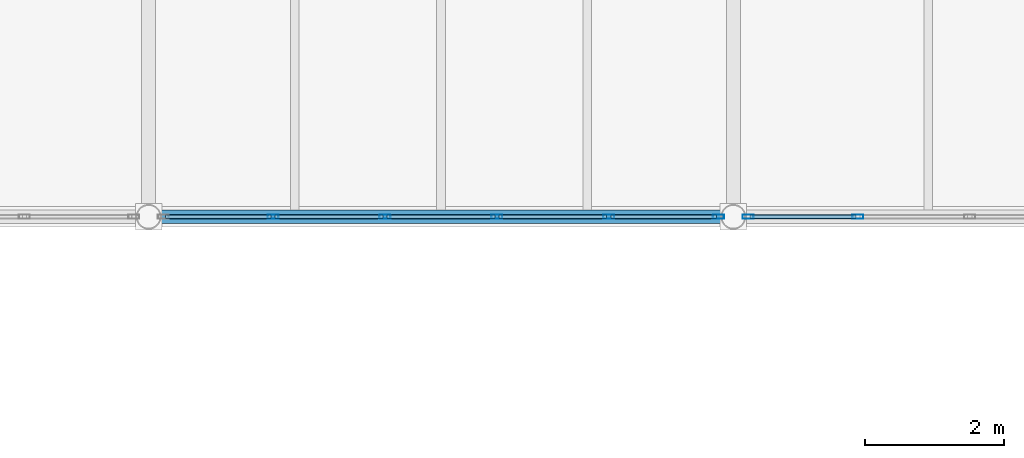
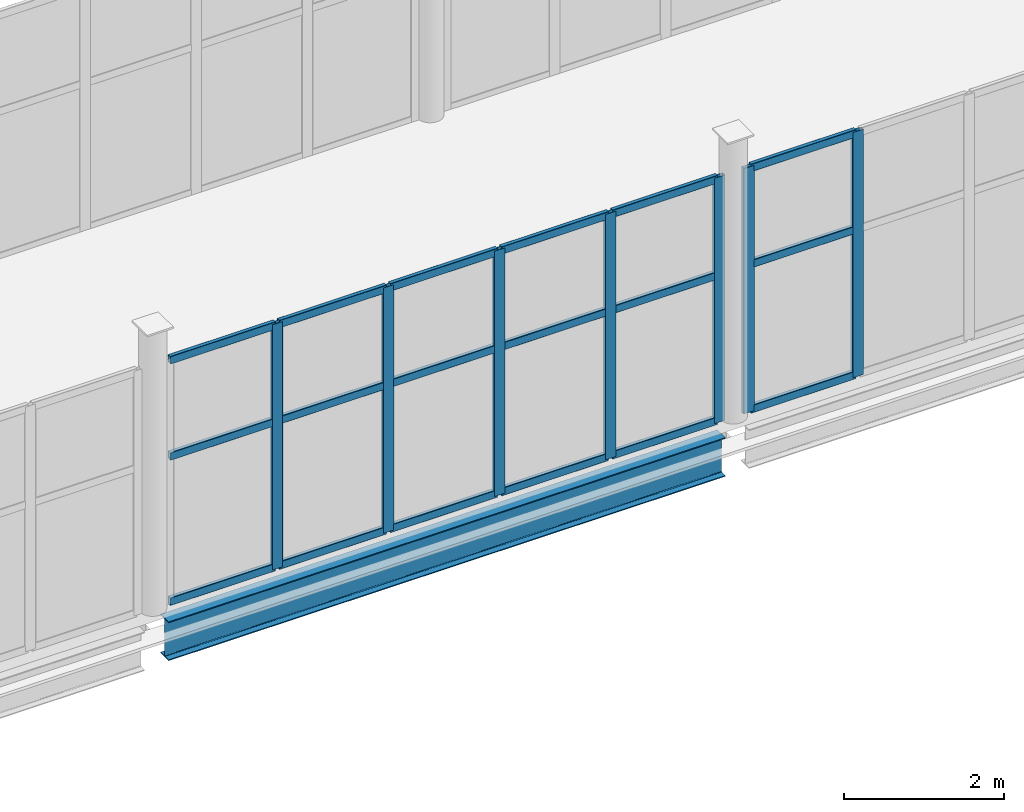
# One storey, part 43 of 172: 25 members, 1 beam, 2 elements without a shape of their own.
"""IFC4 building model written with IfcOpenShell, lengths in metres."""

from ifc_helpers import new_model, si_unit, direction, frame, origin, origin_2d, place, context, subcontext, project, spatial, hollow_rectangle, i_section, extrude, material, material_profile, profile_set, type_object, element, aggregate, save


model = new_model("IFC4")

# Units and contexts
model_context = context("Model", 3, precision=1e-05, world=origin(), true_north=direction((0.0, 1.0)))
body_context = subcontext(model_context, "Body", "Model", "MODEL_VIEW")
ifc_project = project(units=[si_unit("LENGTHUNIT", "METRE"), si_unit("AREAUNIT", "SQUARE_METRE"), si_unit("VOLUMEUNIT", "CUBIC_METRE"), si_unit("PLANEANGLEUNIT", "RADIAN"), si_unit("MASSUNIT", "GRAM", prefix="KILO")], contexts=[model_context])

# Site, building, storey
site_placement = place(None, origin())
site = spatial("IfcSite", under=ifc_project, at=site_placement, CompositionType="ELEMENT")
building_placement = place(site_placement, origin())
building = spatial("IfcBuilding", under=site, at=building_placement, Name="Shengluoqiao Park Theatre", CompositionType="ELEMENT")
storey_placement = place(building_placement, frame((0.0, 0.0, 5.39990234375)))
storey = spatial("IfcBuildingStorey", under=building, at=storey_placement, Name="L01", CompositionType="ELEMENT", Elevation=5.39990234375)

# Curtain wall, members
ifc_material_1 = material(Name="Aluminium 6063-T6", Category="aluminium")
curtain_wall_type = type_object("IfcCurtainWallType", Name="ENV-CW-BRIDGE", PredefinedType="NOTDEFINED", material=ifc_material_1)
curtain_wall_1_placement = place(storey_placement, origin())
curtain_wall_1 = element("IfcCurtainWall", 1, at=curtain_wall_1_placement, inside=storey, type_object=curtain_wall_type, Name="L01 Curtain Wall CWX-L01-0124", PredefinedType="NOTDEFINED")
ifc_material_profile_1 = material_profile(ifc_material_1, hollow_rectangle(XDim=0.06005859375, YDim=0.159912109375, WallThickness=0.00390625, InnerFilletRadius=0.00390625, OuterFilletRadius=0.008056640625, at=origin_2d()), Name="ALU MULLION 160x60x4")
ifc_profile_set_1 = profile_set([ifc_material_profile_1], Name="Aluminium 6063-T6")
member_type_1 = type_object("IfcMemberType", Name="ENV-MUL-160", PredefinedType="MULLION", material=ifc_profile_set_1)
member_1_placement = place(storey_placement, frame((54.589111328125, 53.199951171875, 0.0), z_axis=(0.0, 0.0, 1.0), x_axis=(0.0, 1.0, 0.0)))
member_1 = element("IfcMember", 2, at=member_1_placement, type_object=member_type_1, Name="CW-03 mullion 2", PredefinedType="MULLION", context=body_context, shape_type="SweptSolid", body=[
    extrude(hollow_rectangle(XDim=0.06005859375, YDim=0.159912109375, WallThickness=0.00390625, InnerFilletRadius=0.00390625, OuterFilletRadius=0.008056640625, at=origin_2d()), origin(), (0.0, 0.0, 1.0), 3.752197265625),
])
member_2_placement = place(storey_placement, frame((56.1962890625, 53.199951171875, 0.0), z_axis=(0.0, 0.0, 1.0), x_axis=(0.0, 1.0, 0.0)))
member_2 = element("IfcMember", 3, at=member_2_placement, type_object=member_type_1, Name="CW-03 mullion 3", PredefinedType="MULLION", context=body_context, shape_type="SweptSolid", body=[
    extrude(hollow_rectangle(XDim=0.06005859375, YDim=0.159912109375, WallThickness=0.00390625, InnerFilletRadius=0.00390625, OuterFilletRadius=0.008056640625, at=origin_2d()), origin(), (0.0, 0.0, 1.0), 3.752197265625),
])
member_3_placement = place(storey_placement, frame((57.8037109375, 53.199951171875, 0.0), z_axis=(0.0, 0.0, 1.0), x_axis=(0.0, 1.0, 0.0)))
member_3 = element("IfcMember", 4, at=member_3_placement, type_object=member_type_1, Name="CW-03 mullion 4", PredefinedType="MULLION", context=body_context, shape_type="SweptSolid", body=[
    extrude(hollow_rectangle(XDim=0.06005859375, YDim=0.159912109375, WallThickness=0.00390625, InnerFilletRadius=0.00390625, OuterFilletRadius=0.008056640625, at=origin_2d()), origin(), (0.0, 0.0, 1.0), 3.752197265625),
])
member_4_placement = place(storey_placement, frame((59.410888671875, 53.199951171875, 0.0), z_axis=(0.0, 0.0, 1.0), x_axis=(0.0, 1.0, 0.0)))
member_4 = element("IfcMember", 5, at=member_4_placement, type_object=member_type_1, Name="CW-03 mullion 5", PredefinedType="MULLION", context=body_context, shape_type="SweptSolid", body=[
    extrude(hollow_rectangle(XDim=0.06005859375, YDim=0.159912109375, WallThickness=0.00390625, InnerFilletRadius=0.00390625, OuterFilletRadius=0.008056640625, at=origin_2d()), origin(), (0.0, 0.0, 1.0), 3.752197265625),
])
member_5_placement = place(storey_placement, frame((60.988037109375, 53.199951171875, 0.0), z_axis=(0.0, 0.0, 1.0), x_axis=(0.0, 1.0, 0.0)))
member_5 = element("IfcMember", 6, at=member_5_placement, type_object=member_type_1, Name="CW-03 mullion 6", PredefinedType="MULLION", context=body_context, shape_type="SweptSolid", body=[
    extrude(hollow_rectangle(XDim=0.06005859375, YDim=0.159912109375, WallThickness=0.00390625, InnerFilletRadius=0.00390625, OuterFilletRadius=0.008056640625, at=origin_2d()), origin(), (0.0, 0.0, 1.0), 3.752197265625),
])

curtain_wall_2_placement = place(storey_placement, origin())
curtain_wall_2 = element("IfcCurtainWall", 7, at=curtain_wall_2_placement, inside=storey, type_object=curtain_wall_type, Name="L01 Curtain Wall CWX-L01-0125", PredefinedType="NOTDEFINED")
member_6_placement = place(storey_placement, frame((61.412109375, 53.199951171875, 0.0), z_axis=(0.0, 0.0, 1.0), x_axis=(0.0, 1.0, 0.0)))
member_6 = element("IfcMember", 8, at=member_6_placement, type_object=member_type_1, Name="CW-03 mullion 1", PredefinedType="MULLION", context=body_context, shape_type="SweptSolid", body=[
    extrude(hollow_rectangle(XDim=0.06005859375, YDim=0.159912109375, WallThickness=0.00390625, InnerFilletRadius=0.00390625, OuterFilletRadius=0.008056640625, at=origin_2d()), origin(), (0.0, 0.0, 1.0), 3.752197265625),
])
member_7_placement = place(storey_placement, frame((62.9892578125, 53.199951171875, 0.0), z_axis=(0.0, 0.0, 1.0), x_axis=(0.0, 1.0, 0.0)))
member_7 = element("IfcMember", 9, at=member_7_placement, type_object=member_type_1, Name="CW-03 mullion 2", PredefinedType="MULLION", context=body_context, shape_type="SweptSolid", body=[
    extrude(hollow_rectangle(XDim=0.06005859375, YDim=0.159912109375, WallThickness=0.00390625, InnerFilletRadius=0.00390625, OuterFilletRadius=0.008056640625, at=origin_2d()), origin(), (0.0, 0.0, 1.0), 3.752197265625),
])

# Member
ifc_material_profile_2 = material_profile(ifc_material_1, hollow_rectangle(XDim=0.06005859375, YDim=0.1201171875, WallThickness=0.00390625, InnerFilletRadius=0.00390625, OuterFilletRadius=0.008056640625, at=origin_2d()), Name="ALU TRANSOM 120x60x4")
ifc_profile_set_2 = profile_set([ifc_material_profile_2], Name="Aluminium 6063-T6")
member_type_2 = type_object("IfcMemberType", Name="ENV-TRN-120", PredefinedType="USERDEFINED", material=ifc_profile_set_2)
member_8_placement = place(storey_placement, frame((53.0419921875, 53.199951171875, 0.030029296875), z_axis=(1.0, 0.0, 0.0), x_axis=(0.0, 1.0, 0.0)))
member_8 = element("IfcMember", 10, at=member_8_placement, type_object=member_type_2, Name="CW-03 transom 1.1", ObjectType="TRANSOM", PredefinedType="USERDEFINED", context=body_context, shape_type="SweptSolid", body=[
    extrude(hollow_rectangle(XDim=0.06005859375, YDim=0.1201171875, WallThickness=0.00390625, InnerFilletRadius=0.00390625, OuterFilletRadius=0.008056640625, at=origin_2d()), origin(), (0.0, 0.0, 1.0), 1.51708984375),
])

member_9_placement = place(storey_placement, frame((53.0419921875, 53.199951171875, 2.2509765625), z_axis=(1.0, 0.0, 0.0), x_axis=(0.0, 1.0, 0.0)))
member_9 = element("IfcMember", 11, at=member_9_placement, type_object=member_type_2, Name="CW-03 transom 1.2", ObjectType="TRANSOM", PredefinedType="USERDEFINED", context=body_context, shape_type="SweptSolid", body=[
    extrude(hollow_rectangle(XDim=0.06005859375, YDim=0.1201171875, WallThickness=0.00390625, InnerFilletRadius=0.00390625, OuterFilletRadius=0.008056640625, at=origin_2d()), origin(), (0.0, 0.0, 1.0), 1.51708984375),
])

member_10_placement = place(storey_placement, frame((53.0419921875, 53.199951171875, 3.72216796875), z_axis=(1.0, 0.0, 0.0), x_axis=(0.0, 1.0, 0.0)))
member_10 = element("IfcMember", 12, at=member_10_placement, type_object=member_type_2, Name="CW-03 transom 1.3", ObjectType="TRANSOM", PredefinedType="USERDEFINED", context=body_context, shape_type="SweptSolid", body=[
    extrude(hollow_rectangle(XDim=0.06005859375, YDim=0.1201171875, WallThickness=0.00390625, InnerFilletRadius=0.00390625, OuterFilletRadius=0.008056640625, at=origin_2d()), origin(), (0.0, 0.0, 1.0), 1.51708984375),
])

member_11_placement = place(storey_placement, frame((54.619140625, 53.199951171875, 0.030029296875), z_axis=(1.0, 0.0, 0.0), x_axis=(0.0, 1.0, 0.0)))
member_11 = element("IfcMember", 13, at=member_11_placement, type_object=member_type_2, Name="CW-03 transom 2.1", ObjectType="TRANSOM", PredefinedType="USERDEFINED", context=body_context, shape_type="SweptSolid", body=[
    extrude(hollow_rectangle(XDim=0.06005859375, YDim=0.1201171875, WallThickness=0.00390625, InnerFilletRadius=0.00390625, OuterFilletRadius=0.008056640625, at=origin_2d()), origin(), (0.0, 0.0, 1.0), 1.54736328125),
])

member_12_placement = place(storey_placement, frame((54.619140625, 53.199951171875, 2.2509765625), z_axis=(1.0, 0.0, 0.0), x_axis=(0.0, 1.0, 0.0)))
member_12 = element("IfcMember", 14, at=member_12_placement, type_object=member_type_2, Name="CW-03 transom 2.2", ObjectType="TRANSOM", PredefinedType="USERDEFINED", context=body_context, shape_type="SweptSolid", body=[
    extrude(hollow_rectangle(XDim=0.06005859375, YDim=0.1201171875, WallThickness=0.00390625, InnerFilletRadius=0.00390625, OuterFilletRadius=0.008056640625, at=origin_2d()), origin(), (0.0, 0.0, 1.0), 1.54736328125),
])

member_13_placement = place(storey_placement, frame((54.619140625, 53.199951171875, 3.72216796875), z_axis=(1.0, 0.0, 0.0), x_axis=(0.0, 1.0, 0.0)))
member_13 = element("IfcMember", 15, at=member_13_placement, type_object=member_type_2, Name="CW-03 transom 2.3", ObjectType="TRANSOM", PredefinedType="USERDEFINED", context=body_context, shape_type="SweptSolid", body=[
    extrude(hollow_rectangle(XDim=0.06005859375, YDim=0.1201171875, WallThickness=0.00390625, InnerFilletRadius=0.00390625, OuterFilletRadius=0.008056640625, at=origin_2d()), origin(), (0.0, 0.0, 1.0), 1.54736328125),
])

member_14_placement = place(storey_placement, frame((56.226318359375, 53.199951171875, 0.030029296875), z_axis=(1.0, 0.0, 0.0), x_axis=(0.0, 1.0, 0.0)))
member_14 = element("IfcMember", 16, at=member_14_placement, type_object=member_type_2, Name="CW-03 transom 3.1", ObjectType="TRANSOM", PredefinedType="USERDEFINED", context=body_context, shape_type="SweptSolid", body=[
    extrude(hollow_rectangle(XDim=0.06005859375, YDim=0.1201171875, WallThickness=0.00390625, InnerFilletRadius=0.00390625, OuterFilletRadius=0.008056640625, at=origin_2d()), origin(), (0.0, 0.0, 1.0), 1.54736328125),
])

member_15_placement = place(storey_placement, frame((56.226318359375, 53.199951171875, 2.2509765625), z_axis=(1.0, 0.0, 0.0), x_axis=(0.0, 1.0, 0.0)))
member_15 = element("IfcMember", 17, at=member_15_placement, type_object=member_type_2, Name="CW-03 transom 3.2", ObjectType="TRANSOM", PredefinedType="USERDEFINED", context=body_context, shape_type="SweptSolid", body=[
    extrude(hollow_rectangle(XDim=0.06005859375, YDim=0.1201171875, WallThickness=0.00390625, InnerFilletRadius=0.00390625, OuterFilletRadius=0.008056640625, at=origin_2d()), origin(), (0.0, 0.0, 1.0), 1.54736328125),
])

member_16_placement = place(storey_placement, frame((56.226318359375, 53.199951171875, 3.72216796875), z_axis=(1.0, 0.0, 0.0), x_axis=(0.0, 1.0, 0.0)))
member_16 = element("IfcMember", 18, at=member_16_placement, type_object=member_type_2, Name="CW-03 transom 3.3", ObjectType="TRANSOM", PredefinedType="USERDEFINED", context=body_context, shape_type="SweptSolid", body=[
    extrude(hollow_rectangle(XDim=0.06005859375, YDim=0.1201171875, WallThickness=0.00390625, InnerFilletRadius=0.00390625, OuterFilletRadius=0.008056640625, at=origin_2d()), origin(), (0.0, 0.0, 1.0), 1.54736328125),
])

member_17_placement = place(storey_placement, frame((57.83349609375, 53.199951171875, 0.030029296875), z_axis=(1.0, 0.0, 0.0), x_axis=(0.0, 1.0, 0.0)))
member_17 = element("IfcMember", 19, at=member_17_placement, type_object=member_type_2, Name="CW-03 transom 4.1", ObjectType="TRANSOM", PredefinedType="USERDEFINED", context=body_context, shape_type="SweptSolid", body=[
    extrude(hollow_rectangle(XDim=0.06005859375, YDim=0.1201171875, WallThickness=0.00390625, InnerFilletRadius=0.00390625, OuterFilletRadius=0.008056640625, at=origin_2d()), origin(), (0.0, 0.0, 1.0), 1.54736328125),
])

member_18_placement = place(storey_placement, frame((57.83349609375, 53.199951171875, 2.2509765625), z_axis=(1.0, 0.0, 0.0), x_axis=(0.0, 1.0, 0.0)))
member_18 = element("IfcMember", 20, at=member_18_placement, type_object=member_type_2, Name="CW-03 transom 4.2", ObjectType="TRANSOM", PredefinedType="USERDEFINED", context=body_context, shape_type="SweptSolid", body=[
    extrude(hollow_rectangle(XDim=0.06005859375, YDim=0.1201171875, WallThickness=0.00390625, InnerFilletRadius=0.00390625, OuterFilletRadius=0.008056640625, at=origin_2d()), origin(), (0.0, 0.0, 1.0), 1.54736328125),
])

member_19_placement = place(storey_placement, frame((57.83349609375, 53.199951171875, 3.72216796875), z_axis=(1.0, 0.0, 0.0), x_axis=(0.0, 1.0, 0.0)))
member_19 = element("IfcMember", 21, at=member_19_placement, type_object=member_type_2, Name="CW-03 transom 4.3", ObjectType="TRANSOM", PredefinedType="USERDEFINED", context=body_context, shape_type="SweptSolid", body=[
    extrude(hollow_rectangle(XDim=0.06005859375, YDim=0.1201171875, WallThickness=0.00390625, InnerFilletRadius=0.00390625, OuterFilletRadius=0.008056640625, at=origin_2d()), origin(), (0.0, 0.0, 1.0), 1.54736328125),
])

member_20_placement = place(storey_placement, frame((59.44091796875, 53.199951171875, 0.030029296875), z_axis=(1.0, 0.0, 0.0), x_axis=(0.0, 1.0, 0.0)))
member_20 = element("IfcMember", 22, at=member_20_placement, type_object=member_type_2, Name="CW-03 transom 5.1", ObjectType="TRANSOM", PredefinedType="USERDEFINED", context=body_context, shape_type="SweptSolid", body=[
    extrude(hollow_rectangle(XDim=0.06005859375, YDim=0.1201171875, WallThickness=0.00390625, InnerFilletRadius=0.00390625, OuterFilletRadius=0.008056640625, at=origin_2d()), origin(), (0.0, 0.0, 1.0), 1.51708984375),
])

member_21_placement = place(storey_placement, frame((59.44091796875, 53.199951171875, 2.2509765625), z_axis=(1.0, 0.0, 0.0), x_axis=(0.0, 1.0, 0.0)))
member_21 = element("IfcMember", 23, at=member_21_placement, type_object=member_type_2, Name="CW-03 transom 5.2", ObjectType="TRANSOM", PredefinedType="USERDEFINED", context=body_context, shape_type="SweptSolid", body=[
    extrude(hollow_rectangle(XDim=0.06005859375, YDim=0.1201171875, WallThickness=0.00390625, InnerFilletRadius=0.00390625, OuterFilletRadius=0.008056640625, at=origin_2d()), origin(), (0.0, 0.0, 1.0), 1.51708984375),
])

member_22_placement = place(storey_placement, frame((59.44091796875, 53.199951171875, 3.72216796875), z_axis=(1.0, 0.0, 0.0), x_axis=(0.0, 1.0, 0.0)))
member_22 = element("IfcMember", 24, at=member_22_placement, type_object=member_type_2, Name="CW-03 transom 5.3", ObjectType="TRANSOM", PredefinedType="USERDEFINED", context=body_context, shape_type="SweptSolid", body=[
    extrude(hollow_rectangle(XDim=0.06005859375, YDim=0.1201171875, WallThickness=0.00390625, InnerFilletRadius=0.00390625, OuterFilletRadius=0.008056640625, at=origin_2d()), origin(), (0.0, 0.0, 1.0), 1.51708984375),
])

aggregate(curtain_wall_1, [member_1, member_2, member_3, member_4, member_5, member_8, member_9, member_10, member_11, member_12, member_13, member_14, member_15, member_16, member_17, member_18, member_19, member_20, member_21, member_22])

member_23_placement = place(storey_placement, frame((61.44189453125, 53.199951171875, 0.030029296875), z_axis=(1.0, 0.0, 0.0), x_axis=(0.0, 1.0, 0.0)))
member_23 = element("IfcMember", 25, at=member_23_placement, type_object=member_type_2, Name="CW-03 transom 1.1", ObjectType="TRANSOM", PredefinedType="USERDEFINED", context=body_context, shape_type="SweptSolid", body=[
    extrude(hollow_rectangle(XDim=0.06005859375, YDim=0.1201171875, WallThickness=0.00390625, InnerFilletRadius=0.00390625, OuterFilletRadius=0.008056640625, at=origin_2d()), origin(), (0.0, 0.0, 1.0), 1.517333984375),
])

member_24_placement = place(storey_placement, frame((61.44189453125, 53.199951171875, 2.2509765625), z_axis=(1.0, 0.0, 0.0), x_axis=(0.0, 1.0, 0.0)))
member_24 = element("IfcMember", 26, at=member_24_placement, type_object=member_type_2, Name="CW-03 transom 1.2", ObjectType="TRANSOM", PredefinedType="USERDEFINED", context=body_context, shape_type="SweptSolid", body=[
    extrude(hollow_rectangle(XDim=0.06005859375, YDim=0.1201171875, WallThickness=0.00390625, InnerFilletRadius=0.00390625, OuterFilletRadius=0.008056640625, at=origin_2d()), origin(), (0.0, 0.0, 1.0), 1.517333984375),
])

member_25_placement = place(storey_placement, frame((61.44189453125, 53.199951171875, 3.72216796875), z_axis=(1.0, 0.0, 0.0), x_axis=(0.0, 1.0, 0.0)))
member_25 = element("IfcMember", 27, at=member_25_placement, type_object=member_type_2, Name="CW-03 transom 1.3", ObjectType="TRANSOM", PredefinedType="USERDEFINED", context=body_context, shape_type="SweptSolid", body=[
    extrude(hollow_rectangle(XDim=0.06005859375, YDim=0.1201171875, WallThickness=0.00390625, InnerFilletRadius=0.00390625, OuterFilletRadius=0.008056640625, at=origin_2d()), origin(), (0.0, 0.0, 1.0), 1.517333984375),
])

aggregate(curtain_wall_2, [member_6, member_7, member_23, member_24, member_25])

# Beam
ifc_material_2 = material(Name="Steel Q355", Category="steel")
ifc_material_profile_3 = material_profile(ifc_material_2, i_section(OverallWidth=0.198974609375, OverallDepth=0.595947265625, WebThickness=0.010009765625, FlangeThickness=0.014892578125, FilletRadius=0.02001953125, at=origin_2d()), Name="HN 596x199x10x15")
ifc_profile_set_3 = profile_set([ifc_material_profile_3], Name="Steel Q355")
beam_type = type_object("IfcBeamType", Name="STR-BM-SP-HN596", PredefinedType="SPANDREL", material=ifc_profile_set_3)
beam_placement = place(storey_placement, frame((52.971923828125, 53.199951171875, -0.5078125), z_axis=(1.0, 0.0, 0.0), x_axis=(0.0, 1.0, 0.0)))
element("IfcBeam", 28, at=beam_placement, inside=storey, type_object=beam_type, Name="L01 Primary Girder 00562", PredefinedType="SPANDREL", context=body_context, shape_type="SweptSolid", body=[
    extrude(i_section(OverallWidth=0.198974609375, OverallDepth=0.595947265625, WebThickness=0.010009765625, FlangeThickness=0.014892578125, FilletRadius=0.02001953125, at=origin_2d()), origin(), (0.0, 0.0, 1.0), 8.05615234375),
])

save(model, "model.ifc")
